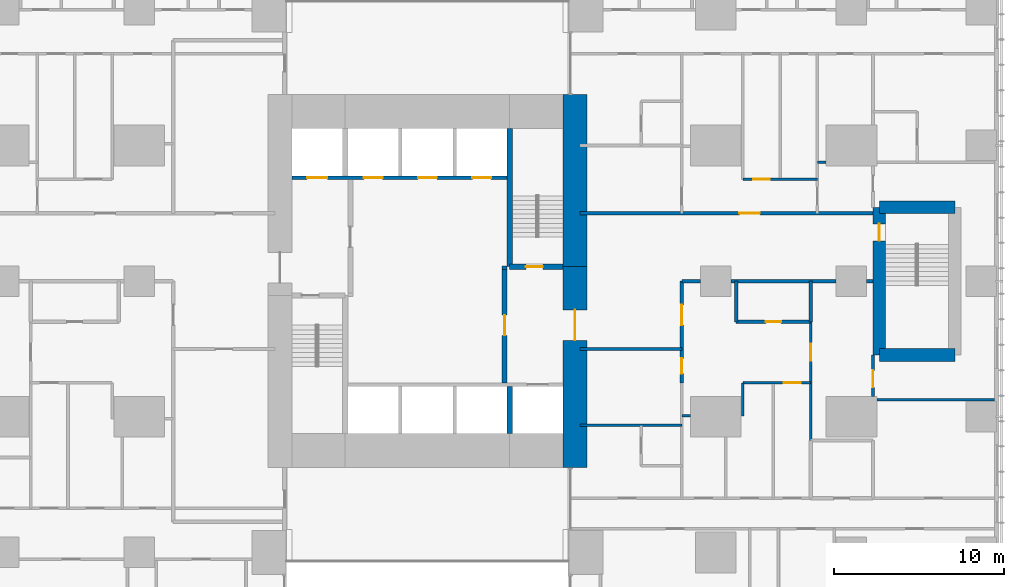
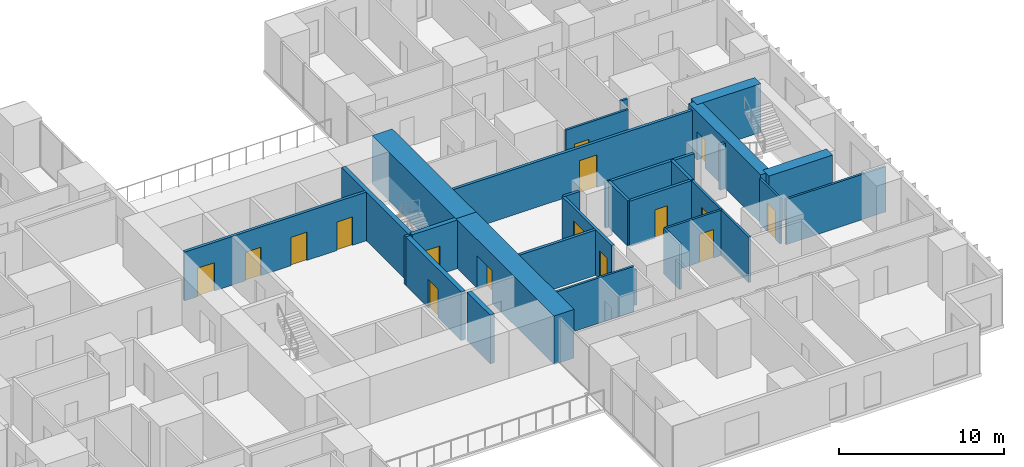
# One storey, part 15 of 20: 29 walls, 16 doors, 16 openings.
"""IFC4 building model written with IfcOpenShell, lengths in metres."""

import ifcopenshell
import ifcopenshell.guid

model = None  # the IFC model being written
_history = None  # IfcOwnerHistory: only IFC2X3 demands one
_inside = {}  # id of a spatial element -> (the spatial element, [elements in it])
_under = {}  # id of a project, library or spatial element -> (it, [spatial elements below it])
_declared = {}  # id of a project -> (the project, [libraries it declares])
_typed = {}  # id of a type object -> (the type object, [elements of that type])
_made_of = {}  # id of a material, layer set ... -> (it, [elements and type objects made of it])


def new_model(schema):
    """Start an empty IFC model of exactly this schema.

    Asked for "IFC4X3", IfcOpenShell would pick the latest addendum, in which some entities
    have other attributes; the version numbers below select the first issue.
    IFC2X3 requires an IfcOwnerHistory on every rooted entity: one is made here for all.
    """
    global model, _history
    if schema == "IFC4X3":
        model = ifcopenshell.file(schema_version=(4, 3, 0, 0))
    else:
        model = ifcopenshell.file(schema=schema)
    _inside.clear()
    _under.clear()
    _declared.clear()
    _typed.clear()
    _made_of.clear()
    _history = None
    if model.schema == "IFC2X3":
        org = make("IfcOrganization", Name="unknown")
        user = make(
            "IfcPersonAndOrganization",
            ThePerson=make("IfcPerson", FamilyName="unknown"),
            TheOrganization=org,
        )
        app = make(
            "IfcApplication",
            ApplicationDeveloper=org,
            Version="unknown",
            ApplicationFullName="unknown",
            ApplicationIdentifier="unknown",
        )
        _history = make(
            "IfcOwnerHistory",
            OwningUser=user,
            OwningApplication=app,
            ChangeAction="ADDED",
            CreationDate=0,
        )
    return model


def make(cls, **values):
    """One entity of the class cls with the attributes given. An attribute that is None is left unset."""
    return model.create_entity(
        cls, **{name: value for name, value in values.items() if value is not None}
    )


def rooted(cls, **values):
    """An entity with a GlobalId (a new one), such as an element, a storey or a relation."""
    return make(cls, GlobalId=ifcopenshell.guid.new(), OwnerHistory=_history, **values)


def si_unit(unit_type, name, prefix=None):
    """IfcSIUnit, for example si_unit("LENGTHUNIT", "METRE", prefix="MILLI")."""
    return make("IfcSIUnit", UnitType=unit_type, Prefix=prefix, Name=name)


def assignment(units):
    """IfcUnitAssignment: the units of a project."""
    return None if units is None else make("IfcUnitAssignment", Units=units)


def point(xyz):
    """IfcCartesianPoint."""
    return None if xyz is None else make("IfcCartesianPoint", Coordinates=xyz)


def direction(xyz):
    """IfcDirection."""
    return None if xyz is None else make("IfcDirection", DirectionRatios=xyz)


def frame(location, z_axis=None, x_axis=None):
    """IfcAxis2Placement3D, a coordinate frame: its origin and axes. An axis left out is left unset."""
    return make(
        "IfcAxis2Placement3D",
        Location=point(location),
        Axis=direction(z_axis),
        RefDirection=direction(x_axis),
    )


def frame_2d(location, x_axis=None):
    """IfcAxis2Placement2D, a coordinate frame in the plane: its origin and x axis."""
    return make(
        "IfcAxis2Placement2D", Location=point(location), RefDirection=direction(x_axis)
    )


def origin():
    """The frame at (0, 0, 0) with its axes left unset."""
    return frame((0.0, 0.0, 0.0))


def place(relative_to, where):
    """IfcLocalPlacement: puts the frame where relative to a parent placement (None: the world)."""
    return make(
        "IfcLocalPlacement", PlacementRelTo=relative_to, RelativePlacement=where
    )


def context(
    kind, dimensions, precision=None, world=None, true_north=None, identifier=None
):
    """IfcGeometricRepresentationContext, for example the 3D "Model" context."""
    return make(
        "IfcGeometricRepresentationContext",
        ContextIdentifier=identifier,
        ContextType=kind,
        CoordinateSpaceDimension=dimensions,
        Precision=precision,
        WorldCoordinateSystem=world,
        TrueNorth=true_north,
    )


def subcontext(parent, identifier, kind, view, scale=None):
    """IfcGeometricRepresentationSubContext, for example "Body" below "Model"."""
    return make(
        "IfcGeometricRepresentationSubContext",
        ContextIdentifier=identifier,
        ContextType=kind,
        ParentContext=parent,
        TargetScale=scale,
        TargetView=view,
    )


def project(units=None, contexts=None):
    """IfcProject with its units and contexts."""
    return rooted(
        "IfcProject",
        Name="project",
        RepresentationContexts=contexts,
        UnitsInContext=assignment(units),
    )


def spatial(cls, under=None, at=None, **own):
    """A site, building, storey or space (cls), placed at a placement, below another one or the project."""
    s = rooted(cls, ObjectPlacement=at, **own)
    if under is not None:
        _under.setdefault(under.id(), (under, []))[1].append(s)
    return s


def profile(cls, at=None, kind="AREA", **sizes):
    """A parametric profile (cls). Its sizes go by their IFC names, for example OverallWidth=200.0."""
    return make(cls, ProfileType=kind, Position=at, **sizes)


def rectangle(**sizes):
    """IfcRectangleProfileDef."""
    return profile("IfcRectangleProfileDef", **sizes)


def extrude(swept, where, along, depth):
    """IfcExtrudedAreaSolid: the profile swept, set in the frame where, extruded along a direction by depth."""
    return make(
        "IfcExtrudedAreaSolid",
        SweptArea=swept,
        Position=where,
        ExtrudedDirection=direction(along),
        Depth=depth,
    )


def shape(context_of_items, identifier, shape_type, items):
    """IfcShapeRepresentation: the items that make up one representation, for example the "Body"."""
    return make(
        "IfcShapeRepresentation",
        ContextOfItems=context_of_items,
        RepresentationIdentifier=identifier,
        RepresentationType=shape_type,
        Items=items,
    )


def material(Name=None, Category=None):
    """IfcMaterial."""
    return make("IfcMaterial", Name=Name, Category=Category)


def layer(
    of_material, thickness, ventilated=None, Name=None, Category=None, Priority=None
):
    """IfcMaterialLayer: one layer of a wall or slab, of a material (None: an air gap)."""
    return make(
        "IfcMaterialLayer",
        Material=of_material,
        LayerThickness=thickness,
        IsVentilated=ventilated,
        Name=Name,
        Category=Category,
        Priority=Priority,
    )


def layer_set(layers, Name=None):
    """IfcMaterialLayerSet."""
    return make("IfcMaterialLayerSet", MaterialLayers=layers, LayerSetName=Name)


def made_of(thing, what):
    """Note that an element or type object is made of a material, layer set ...; save() writes the relation."""
    if what is not None:
        _made_of.setdefault(what.id(), (what, []))[1].append(thing)
    return thing


def type_object(cls, material=None, **own):
    """A type object (cls), such as IfcWallType, which elements share."""
    return made_of(rooted(cls, **own), material)


def element(
    cls,
    number,
    at=None,
    inside=None,
    cuts=None,
    type_object=None,
    material=None,
    context=None,
    identifier="Body",
    shape_type=None,
    held_by="IfcProductDefinitionShape",
    body=None,
    shapes=None,
    **own,
):
    """One element of the class cls, such as IfcWall. Its Tag is "e" and its number.

    at: its placement. inside: the storey or other place that contains it. cuts: it is an
    opening in that element (IfcRelVoidsElement). A single representation is given by context,
    identifier, shape_type and body (its items); several are given by shapes. held_by: the class
    of the entity that holds the representations. save() writes the other relations.
    """
    e = rooted(cls, Tag="e%d" % number, ObjectPlacement=at, **own)
    if body is not None:
        shapes = [shape(context, identifier, shape_type, body)]
    if shapes is not None:
        e.Representation = make(held_by, Representations=shapes)
    if inside is not None:
        _inside.setdefault(inside.id(), (inside, []))[1].append(e)
    if cuts is not None:
        rooted(
            "IfcRelVoidsElement", RelatingBuildingElement=cuts, RelatedOpeningElement=e
        )
    if type_object is not None:
        _typed.setdefault(type_object.id(), (type_object, []))[1].append(e)
    return made_of(e, material)


def fill(opening, filler):
    """IfcRelFillsElement: the door or window that sits in an opening."""
    return rooted(
        "IfcRelFillsElement",
        RelatingOpeningElement=opening,
        RelatedBuildingElement=filler,
    )


def aggregate(whole, parts):
    """IfcRelAggregates: a whole, such as a stair, and the parts it consists of."""
    return rooted("IfcRelAggregates", RelatingObject=whole, RelatedObjects=parts)


def save(model, path):
    """Write the relations noted so far, then the file.

    IfcRelAggregates (storeys below a building ...), IfcRelContainedInSpatialStructure (elements
    in a storey), IfcRelDefinesByType, IfcRelAssociatesMaterial and IfcRelDeclares: one each for
    every whole, place, type object, material and project.
    """
    for whole, parts in _under.values():
        aggregate(whole, parts)
    for where, things in _inside.values():
        rooted(
            "IfcRelContainedInSpatialStructure",
            RelatedElements=things,
            RelatingStructure=where,
        )
    for kind, things in _typed.values():
        rooted("IfcRelDefinesByType", RelatedObjects=things, RelatingType=kind)
    for what, things in _made_of.values():
        rooted("IfcRelAssociatesMaterial", RelatedObjects=things, RelatingMaterial=what)
    for by, libraries in _declared.values():
        rooted("IfcRelDeclares", RelatingContext=by, RelatedDefinitions=libraries)
    model.write(path)


model = new_model("IFC4")

# Units and contexts
model_context = context("Model", 3, precision=1e-05, world=origin(), true_north=direction((0.0, 1.0)))
body_context = subcontext(model_context, "Body", "Model", "MODEL_VIEW")
ifc_project = project(units=[si_unit("LENGTHUNIT", "METRE"), si_unit("AREAUNIT", "SQUARE_METRE"), si_unit("VOLUMEUNIT", "CUBIC_METRE"), si_unit("PLANEANGLEUNIT", "RADIAN"), si_unit("MASSUNIT", "GRAM", prefix="KILO")], contexts=[model_context])

# Site, building, storey
site_placement = place(None, origin())
site = spatial("IfcSite", under=ifc_project, at=site_placement, CompositionType="ELEMENT")
building_placement = place(site_placement, origin())
building = spatial("IfcBuilding", under=site, at=building_placement, Name="Cleftline Residences", CompositionType="ELEMENT")
storey_placement = place(building_placement, frame((0.0, 0.0, 182.199951171875)))
storey = spatial("IfcBuildingStorey", under=building, at=storey_placement, Name="L47", CompositionType="ELEMENT", Elevation=182.199951171875)

# Wall, opening, door
ifc_material_1 = material(Name="Concrete B70", Category="concrete")
ifc_layer_1 = layer(ifc_material_1, 1.39990234375)
ifc_layer_set_1 = layer_set([ifc_layer_1], Name="CORE WALL 1400")
wall_type_1 = type_object("IfcWallType", Name="CORE WALL 1400", PredefinedType="SHEAR", material=ifc_layer_set_1)
wall_1_placement = place(storey_placement, frame((41.699951171875, 13.0, 0.0), z_axis=(0.0, 0.0, 1.0), x_axis=(0.0, 1.0, 0.0)))
wall_1 = element("IfcWall", 1, at=wall_1_placement, inside=storey, type_object=wall_type_1, Name="Core wall E", PredefinedType="SHEAR", context=body_context, shape_type="SweptSolid", body=[
    extrude(rectangle(XDim=11.85009765625, YDim=1.39990234375, at=frame_2d((5.925048828125, 0.0))), origin(), (0.0, 0.0, 1.0), 3.60009765625),
])
opening_1_placement = place(wall_1_placement, frame((7.5, 0.0, 0.0)))
opening_1 = element("IfcOpeningElement", 2, at=opening_1_placement, cuts=wall_1, Name="Opening D7", PredefinedType="OPENING", context=body_context, shape_type="SweptSolid", body=[
    extrude(rectangle(XDim=1.800048828125, YDim=2.39990234375, at=frame_2d((0.89990234375, 1.199951171875))), frame((0.0, 0.7099609375, 0.0), z_axis=(0.0, -1.0, 0.0), x_axis=(1.0, 0.0, 0.0)), (0.0, 0.0, 1.0), 1.419921875),
])
ifc_material_2 = material(Name="Steel", Category="steel")
door_type_1 = type_object("IfcDoorType", Name="WING DOOR 1800X2400", OperationType="DOUBLE_DOOR_DOUBLE_SWING", PredefinedType="DOOR", material=ifc_material_2)
door_1_placement = place(opening_1_placement, origin())
door_1 = element("IfcDoor", 3, at=door_1_placement, inside=storey, type_object=door_type_1, Name="East wing door", OperationType="DOUBLE_DOOR_DOUBLE_SWING", OverallHeight=2.39990234375, OverallWidth=1.800048828125, PredefinedType="DOOR", context=body_context, shape_type="SweptSolid", body=[
    extrude(rectangle(XDim=1.800048828125, YDim=2.39990234375, at=frame_2d((0.89990234375, 1.199951171875))), frame((0.0, 0.02490234375, 0.0), z_axis=(0.0, -1.0, 0.0), x_axis=(1.0, 0.0, 0.0)), (0.0, 0.0, 1.0), 0.050048828125),
])
fill(opening_1, door_1)

# Walls
wall_2_placement = place(storey_placement, frame((41.699951171875, 24.85009765625, 0.0), z_axis=(0.0, 0.0, 1.0), x_axis=(0.0, 1.0, 0.0)))
element("IfcWall", 4, at=wall_2_placement, inside=storey, type_object=wall_type_1, Name="Core wall E1", PredefinedType="SHEAR", context=body_context, shape_type="SweptSolid", body=[
    extrude(rectangle(XDim=10.14990234375, YDim=1.39990234375, at=frame_2d((5.074951171875, 0.0))), origin(), (0.0, 0.0, 1.0), 3.60009765625),
])
ifc_material_3 = material(Name="Concrete B70", Category="concrete")
ifc_layer_2 = layer(ifc_material_3, 0.300048828125)
ifc_layer_set_2 = layer_set([ifc_layer_2], Name="CORE WALL 300")
wall_type_2 = type_object("IfcWallType", Name="CORE WALL 300", PredefinedType="SHEAR", material=ifc_layer_set_2)
wall_3_placement = place(storey_placement, frame((37.85009765625, 24.85009765625, 0.0), z_axis=(0.0, 0.0, 1.0), x_axis=(0.0, 1.0, 0.0)))
element("IfcWall", 5, at=wall_3_placement, inside=storey, type_object=wall_type_2, Name="Core wall SB-W", PredefinedType="SHEAR", context=body_context, shape_type="SweptSolid", body=[
    extrude(rectangle(XDim=8.14990234375, YDim=0.300048828125, at=frame_2d((4.074951171875, 0.0))), origin(), (0.0, 0.0, 1.0), 3.60009765625),
])

# Wall, opening, door
wall_4_placement = place(storey_placement, frame((37.85009765625, 24.85009765625, 0.0), z_axis=(0.0, 0.0, 1.0), x_axis=(1.0, 0.0, 0.0)))
wall_4 = element("IfcWall", 6, at=wall_4_placement, inside=storey, type_object=wall_type_2, Name="Core wall SB-S", PredefinedType="SHEAR", context=body_context, shape_type="SweptSolid", body=[
    extrude(rectangle(XDim=3.14990234375, YDim=0.300048828125, at=frame_2d((1.574951171875, 0.0))), origin(), (0.0, 0.0, 1.0), 3.60009765625),
])
opening_2_placement = place(wall_4_placement, frame((0.949951171875, 0.0, 0.0)))
opening_2 = element("IfcOpeningElement", 7, at=opening_2_placement, cuts=wall_4, Name="Opening D5", PredefinedType="OPENING", context=body_context, shape_type="SweptSolid", body=[
    extrude(rectangle(XDim=1.0, YDim=2.10009765625, at=frame_2d((0.5, 1.050048828125))), frame((0.0, 0.159912109375, 0.0), z_axis=(0.0, -1.0, 0.0), x_axis=(1.0, 0.0, 0.0)), (0.0, 0.0, 1.0), 0.320068359375),
])
ifc_material_4 = material(Name="Steel", Category="steel")
door_type_2 = type_object("IfcDoorType", Name="STAIR DOOR 1000X2100", OperationType="SINGLE_SWING_LEFT", PredefinedType="DOOR", material=ifc_material_4)
door_2_placement = place(opening_2_placement, origin())
door_2 = element("IfcDoor", 8, at=door_2_placement, inside=storey, type_object=door_type_2, Name="Stair B door", OperationType="SINGLE_SWING_RIGHT", OverallHeight=2.10009765625, OverallWidth=1.0, PredefinedType="DOOR", context=body_context, shape_type="SweptSolid", body=[
    extrude(rectangle(XDim=1.0, YDim=2.10009765625, at=frame_2d((0.5, 1.050048828125))), frame((0.0, 0.02490234375, 0.0), z_axis=(0.0, -1.0, 0.0), x_axis=(1.0, 0.0, 0.0)), (0.0, 0.0, 1.0), 0.050048828125),
])
fill(opening_2, door_2)

# Walls
wall_5_placement = place(storey_placement, frame((37.85009765625, 15.0, 0.0), z_axis=(0.0, 0.0, 1.0), x_axis=(0.0, 1.0, 0.0)))
element("IfcWall", 9, at=wall_5_placement, inside=storey, type_object=wall_type_2, Name="Lift shaft wall", PredefinedType="SHEAR", context=body_context, shape_type="SweptSolid", body=[
    extrude(rectangle(XDim=2.800048828125, YDim=0.300048828125, at=frame_2d((1.39990234375, 0.0))), origin(), (0.0, 0.0, 1.0), 3.60009765625),
])
ifc_material_5 = material(Name="Concrete blockwork, fire rated", Category="masonry")
ifc_layer_3 = layer(ifc_material_5, 0.199951171875)
ifc_layer_set_3 = layer_set([ifc_layer_3], Name="FIRE WALL 200")
wall_type_3 = type_object("IfcWallType", Name="FIRE WALL 200", PredefinedType="PARTITIONING", material=ifc_layer_set_3)
wall_6_placement = place(storey_placement, frame((42.0, 20.0, 0.0), z_axis=(0.0, 0.0, 1.0), x_axis=(1.0, 0.0, 0.0)))
element("IfcWall", 10, at=wall_6_placement, inside=storey, type_object=wall_type_3, Name="Fire separating wall", PredefinedType="PARTITIONING", context=body_context, shape_type="SweptSolid", body=[
    extrude(rectangle(XDim=6.0, YDim=0.199951171875, at=frame_2d((3.0, 0.0))), origin(), (0.0, 0.0, 1.0), 3.35009765625),
])

# Wall, opening, door
wall_7_placement = place(storey_placement, frame((51.199951171875, 21.60009765625, 0.0), z_axis=(0.0, 0.0, 1.0), x_axis=(1.0, 0.0, 0.0)))
wall_7 = element("IfcWall", 11, at=wall_7_placement, inside=storey, type_object=wall_type_3, Name="Fire separating wall", PredefinedType="PARTITIONING", context=body_context, shape_type="SweptSolid", body=[
    extrude(rectangle(XDim=4.400146484375, YDim=0.199951171875, at=frame_2d((2.2001953125, 0.0))), origin(), (0.0, 0.0, 1.0), 3.35009765625),
])
opening_3_placement = place(wall_7_placement, frame((1.75, 0.0, 0.0)))
opening_3 = element("IfcOpeningElement", 12, at=opening_3_placement, cuts=wall_7, Name="Opening D1F30", PredefinedType="OPENING", context=body_context, shape_type="SweptSolid", body=[
    extrude(rectangle(XDim=0.89990234375, YDim=2.10009765625, at=frame_2d((0.449951171875, 1.050048828125))), frame((0.0, 0.10986328125, 0.0), z_axis=(0.0, -1.0, 0.0), x_axis=(1.0, 0.0, 0.0)), (0.0, 0.0, 1.0), 0.219970703125),
])
ifc_material_6 = material(Name="Timber veneer on solid core", Category="wood")
door_type_3 = type_object("IfcDoorType", Name="DOOR 900X2100 EI 30", OperationType="SINGLE_SWING_LEFT", PredefinedType="DOOR", material=ifc_material_6)
door_3_placement = place(opening_3_placement, origin())
door_3 = element("IfcDoor", 13, at=door_3_placement, inside=storey, type_object=door_type_3, Name="Door to cloakroom wc", OperationType="SINGLE_SWING_LEFT", OverallHeight=2.10009765625, OverallWidth=0.89990234375, PredefinedType="DOOR", context=body_context, shape_type="SweptSolid", body=[
    extrude(rectangle(XDim=0.89990234375, YDim=2.10009765625, at=frame_2d((0.449951171875, 1.050048828125))), frame((0.0, 0.02490234375, 0.0), z_axis=(0.0, -1.0, 0.0), x_axis=(1.0, 0.0, 0.0)), (0.0, 0.0, 1.0), 0.050048828125),
])
fill(opening_3, door_3)

# Walls
wall_8_placement = place(storey_placement, frame((48.0, 24.0, 0.0), z_axis=(0.0, 0.0, 1.0), x_axis=(1.0, 0.0, 0.0)))
element("IfcWall", 14, at=wall_8_placement, inside=storey, type_object=wall_type_3, Name="Fire separating wall", PredefinedType="PARTITIONING", context=body_context, shape_type="SweptSolid", body=[
    extrude(rectangle(XDim=1.10009765625, YDim=0.199951171875, at=frame_2d((0.550048828125, 0.0))), origin(), (0.0, 0.0, 1.0), 3.35009765625),
])
wall_9_placement = place(storey_placement, frame((50.89990234375, 24.0, 0.0), z_axis=(0.0, 0.0, 1.0), x_axis=(1.0, 0.0, 0.0)))
element("IfcWall", 15, at=wall_9_placement, inside=storey, type_object=wall_type_3, Name="Fire separating wall", PredefinedType="PARTITIONING", context=body_context, shape_type="SweptSolid", body=[
    extrude(rectangle(XDim=6.2001953125, YDim=0.199951171875, at=frame_2d((3.10009765625, 0.0))), origin(), (0.0, 0.0, 1.0), 3.35009765625),
])
wall_10_placement = place(storey_placement, frame((58.89990234375, 24.0, 0.0), z_axis=(0.0, 0.0, 1.0), x_axis=(1.0, 0.0, 0.0)))
element("IfcWall", 16, at=wall_10_placement, inside=storey, type_object=wall_type_3, Name="Fire separating wall", PredefinedType="PARTITIONING", context=body_context, shape_type="SweptSolid", body=[
    extrude(rectangle(XDim=0.375, YDim=0.199951171875, at=frame_2d((0.1875, 0.0))), origin(), (0.0, 0.0, 1.0), 3.35009765625),
])

# Wall, opening, door
wall_11_placement = place(storey_placement, frame((42.0, 28.0, 0.0), z_axis=(0.0, 0.0, 1.0), x_axis=(1.0, 0.0, 0.0)))
wall_11 = element("IfcWall", 17, at=wall_11_placement, inside=storey, type_object=wall_type_3, Name="Fire separating wall", PredefinedType="PARTITIONING", context=body_context, shape_type="SweptSolid", body=[
    extrude(rectangle(XDim=17.27490234375, YDim=0.199951171875, at=frame_2d((8.637451171875, 0.0))), origin(), (0.0, 0.0, 1.0), 3.35009765625),
])
opening_4_placement = place(wall_11_placement, frame((9.39990234375, 0.0, 0.0)))
opening_4 = element("IfcOpeningElement", 18, at=opening_4_placement, cuts=wall_11, Name="Opening D4", PredefinedType="OPENING", context=body_context, shape_type="SweptSolid", body=[
    extrude(rectangle(XDim=1.199951171875, YDim=2.39990234375, at=frame_2d((0.60009765625, 1.199951171875))), frame((0.0, 0.10986328125, 0.0), z_axis=(0.0, -1.0, 0.0), x_axis=(1.0, 0.0, 0.0)), (0.0, 0.0, 1.0), 0.219970703125),
])
ifc_material_7 = material(Name="Timber veneer on solid core", Category="wood")
door_type_4 = type_object("IfcDoorType", Name="APARTMENT ENTRANCE DOOR 1200X2400", OperationType="SINGLE_SWING_RIGHT", PredefinedType="DOOR", material=ifc_material_7)
door_4_placement = place(opening_4_placement, origin())
door_4 = element("IfcDoor", 19, at=door_4_placement, inside=storey, type_object=door_type_4, Name="Door to residence entrance (gallery)", OperationType="SINGLE_SWING_LEFT", OverallHeight=2.39990234375, OverallWidth=1.199951171875, PredefinedType="DOOR", context=body_context, shape_type="SweptSolid", body=[
    extrude(rectangle(XDim=1.199951171875, YDim=2.39990234375, at=frame_2d((0.60009765625, 1.199951171875))), frame((0.0, 0.02490234375, 0.0), z_axis=(0.0, -1.0, 0.0), x_axis=(1.0, 0.0, 0.0)), (0.0, 0.0, 1.0), 0.050048828125),
])
fill(opening_4, door_4)

# Wall, openings, doors
wall_12_placement = place(storey_placement, frame((48.0, 18.0, 0.0), z_axis=(0.0, 0.0, 1.0), x_axis=(0.0, 1.0, 0.0)))
wall_12 = element("IfcWall", 20, at=wall_12_placement, inside=storey, type_object=wall_type_3, Name="Fire separating wall", PredefinedType="PARTITIONING", context=body_context, shape_type="SweptSolid", body=[
    extrude(rectangle(XDim=6.0, YDim=0.199951171875, at=frame_2d((3.0, 0.0))), origin(), (0.0, 0.0, 1.0), 3.35009765625),
])
opening_5_placement = place(wall_12_placement, frame((3.39990234375, 0.0, 0.0)))
opening_5 = element("IfcOpeningElement", 21, at=opening_5_placement, cuts=wall_12, Name="Opening D4", PredefinedType="OPENING", context=body_context, shape_type="SweptSolid", body=[
    extrude(rectangle(XDim=1.199951171875, YDim=2.39990234375, at=frame_2d((0.60009765625, 1.199951171875))), frame((0.0, 0.10986328125, 0.0), z_axis=(0.0, -1.0, 0.0), x_axis=(1.0, 0.0, 0.0)), (0.0, 0.0, 1.0), 0.219970703125),
])
opening_6_placement = place(wall_12_placement, frame((0.550048828125, 0.0, 0.0)))
opening_6 = element("IfcOpeningElement", 22, at=opening_6_placement, cuts=wall_12, Name="Opening D1F30", PredefinedType="OPENING", context=body_context, shape_type="SweptSolid", body=[
    extrude(rectangle(XDim=0.89990234375, YDim=2.10009765625, at=frame_2d((0.449951171875, 1.050048828125))), frame((0.0, 0.10986328125, 0.0), z_axis=(0.0, -1.0, 0.0), x_axis=(1.0, 0.0, 0.0)), (0.0, 0.0, 1.0), 0.219970703125),
])
door_5_placement = place(opening_5_placement, origin())
door_5 = element("IfcDoor", 23, at=door_5_placement, inside=storey, type_object=door_type_4, Name="Door to residence entrance foyer", OperationType="SINGLE_SWING_LEFT", OverallHeight=2.39990234375, OverallWidth=1.199951171875, PredefinedType="DOOR", context=body_context, shape_type="SweptSolid", body=[
    extrude(rectangle(XDim=1.199951171875, YDim=2.39990234375, at=frame_2d((0.60009765625, 1.199951171875))), frame((0.0, 0.02490234375, 0.0), z_axis=(0.0, -1.0, 0.0), x_axis=(1.0, 0.0, 0.0)), (0.0, 0.0, 1.0), 0.050048828125),
])
fill(opening_5, door_5)
door_6_placement = place(opening_6_placement, origin())
door_6 = element("IfcDoor", 24, at=door_6_placement, inside=storey, type_object=door_type_3, Name="Door to drying loggia", OperationType="SINGLE_SWING_RIGHT", OverallHeight=2.10009765625, OverallWidth=0.89990234375, PredefinedType="DOOR", context=body_context, shape_type="SweptSolid", body=[
    extrude(rectangle(XDim=0.89990234375, YDim=2.10009765625, at=frame_2d((0.449951171875, 1.050048828125))), frame((0.0, 0.02490234375, 0.0), z_axis=(0.0, -1.0, 0.0), x_axis=(1.0, 0.0, 0.0)), (0.0, 0.0, 1.0), 0.050048828125),
])
fill(opening_6, door_6)

# Walls
for number, where, z_axis, x_axis, name in (
    (25, (51.199951171875, 21.60009765625, 0.0), (0.0, 0.0, 1.0), (0.0, 1.0, 0.0), "Fire separating wall"),
    (26, (55.60009765625, 21.60009765625, 0.0), (0.0, 0.0, 1.0), (0.0, 1.0, 0.0), "Fire separating wall"),
):
    element("IfcWall", number, at=place(storey_placement, frame(where, z_axis=z_axis, x_axis=x_axis)), inside=storey, type_object=wall_type_3, Name=name, PredefinedType="PARTITIONING", context=body_context, shape_type="SweptSolid", body=[
        extrude(rectangle(XDim=2.39990234375, YDim=0.199951171875, at=frame_2d((1.199951171875, 0.0))), origin(), (0.0, 0.0, 1.0), 3.35009765625),
    ])
wall_13_placement = place(storey_placement, frame((37.39990234375, 24.800048828125, 0.0), z_axis=(0.0, 0.0, 1.0), x_axis=(1.0, 0.0, 0.0)))
element("IfcWall", 27, at=wall_13_placement, inside=storey, type_object=wall_type_3, Name="Fire separating wall", PredefinedType="PARTITIONING", context=body_context, shape_type="SweptSolid", body=[
    extrude(rectangle(XDim=0.300048828125, YDim=0.199951171875, at=frame_2d((0.14990234375, 0.0))), origin(), (0.0, 0.0, 1.0), 3.60009765625),
])
ifc_material_8 = material(Name="Gypsum board on steel studs", Category="steel")
ifc_layer_4 = layer(ifc_material_8, 0.14990234375)
ifc_layer_set_4 = layer_set([ifc_layer_4], Name="PARTITION 150")
wall_type_4 = type_object("IfcWallType", Name="PARTITION 150", PredefinedType="PARTITIONING", material=ifc_layer_set_4)
wall_14_placement = place(storey_placement, frame((42.0, 15.5, 0.0), z_axis=(0.0, 0.0, 1.0), x_axis=(1.0, 0.0, 0.0)))
element("IfcWall", 28, at=wall_14_placement, inside=storey, type_object=wall_type_4, Name="Partition", PredefinedType="PARTITIONING", context=body_context, shape_type="SweptSolid", body=[
    extrude(rectangle(XDim=6.0, YDim=0.14990234375, at=frame_2d((3.0, 0.0))), origin(), (0.0, 0.0, 1.0), 3.35009765625),
])
wall_15_placement = place(storey_placement, frame((48.0, 16.050048828125, 0.0), z_axis=(0.0, 0.0, 1.0), x_axis=(1.0, 0.0, 0.0)))
element("IfcWall", 29, at=wall_15_placement, inside=storey, type_object=wall_type_4, Name="Partition", PredefinedType="PARTITIONING", context=body_context, shape_type="SweptSolid", body=[
    extrude(rectangle(XDim=0.5, YDim=0.14990234375, at=frame_2d((0.25, 0.0))), origin(), (0.0, 0.0, 1.0), 2.634033203125),
])
wall_16_placement = place(storey_placement, frame((59.5, 17.0, 0.0), z_axis=(0.0, 0.0, 1.0), x_axis=(1.0, 0.0, 0.0)))
element("IfcWall", 30, at=wall_16_placement, inside=storey, type_object=wall_type_4, Name="Partition", PredefinedType="PARTITIONING", context=body_context, shape_type="SweptSolid", body=[
    extrude(rectangle(XDim=6.949951171875, YDim=0.14990234375, at=frame_2d((3.47509765625, 0.0))), origin(), (0.0, 0.0, 1.0), 3.35009765625),
])

# Wall, opening, door
wall_17_placement = place(storey_placement, frame((51.60009765625, 18.0, 0.0), z_axis=(0.0, 0.0, 1.0), x_axis=(1.0, 0.0, 0.0)))
wall_17 = element("IfcWall", 31, at=wall_17_placement, inside=storey, type_object=wall_type_4, Name="Partition", PredefinedType="PARTITIONING", context=body_context, shape_type="SweptSolid", body=[
    extrude(rectangle(XDim=4.0, YDim=0.14990234375, at=frame_2d((2.0, 0.0))), origin(), (0.0, 0.0, 1.0), 3.35009765625),
])
opening_7_placement = place(wall_17_placement, frame((2.39990234375, 0.0, 0.0)))
opening_7 = element("IfcOpeningElement", 32, at=opening_7_placement, cuts=wall_17, Name="Opening D2", PredefinedType="OPENING", context=body_context, shape_type="SweptSolid", body=[
    extrude(rectangle(XDim=1.0, YDim=2.10009765625, at=frame_2d((0.5, 1.050048828125))), frame((0.0, 0.0849609375, 0.0), z_axis=(0.0, -1.0, 0.0), x_axis=(1.0, 0.0, 0.0)), (0.0, 0.0, 1.0), 0.169921875),
])
ifc_material_9 = material(Name="Timber veneer on solid core", Category="wood")
door_type_5 = type_object("IfcDoorType", Name="DOOR 1000X2100", OperationType="SINGLE_SWING_LEFT", PredefinedType="DOOR", material=ifc_material_9)
door_7_placement = place(opening_7_placement, origin())
door_7 = element("IfcDoor", 33, at=door_7_placement, inside=storey, type_object=door_type_5, Name="Door to residence passage", OperationType="SINGLE_SWING_LEFT", OverallHeight=2.10009765625, OverallWidth=1.0, PredefinedType="DOOR", context=body_context, shape_type="SweptSolid", body=[
    extrude(rectangle(XDim=1.0, YDim=2.10009765625, at=frame_2d((0.5, 1.050048828125))), frame((0.0, 0.02490234375, 0.0), z_axis=(0.0, -1.0, 0.0), x_axis=(1.0, 0.0, 0.0)), (0.0, 0.0, 1.0), 0.050048828125),
])
fill(opening_7, door_7)

wall_18_placement = place(storey_placement, frame((51.60009765625, 30.0, 0.0), z_axis=(0.0, 0.0, 1.0), x_axis=(1.0, 0.0, 0.0)))
wall_18 = element("IfcWall", 34, at=wall_18_placement, inside=storey, type_object=wall_type_4, Name="Partition", PredefinedType="PARTITIONING", context=body_context, shape_type="SweptSolid", body=[
    extrude(rectangle(XDim=4.39990234375, YDim=0.14990234375, at=frame_2d((2.199951171875, 0.0))), origin(), (0.0, 0.0, 1.0), 3.35009765625),
])
opening_8_placement = place(wall_18_placement, frame((0.60009765625, 0.0, 0.0)))
opening_8 = element("IfcOpeningElement", 35, at=opening_8_placement, cuts=wall_18, Name="Opening D2", PredefinedType="OPENING", context=body_context, shape_type="SweptSolid", body=[
    extrude(rectangle(XDim=1.0, YDim=2.10009765625, at=frame_2d((0.5, 1.050048828125))), frame((0.0, 0.0849609375, 0.0), z_axis=(0.0, -1.0, 0.0), x_axis=(1.0, 0.0, 0.0)), (0.0, 0.0, 1.0), 0.169921875),
])
door_8_placement = place(opening_8_placement, origin())
door_8 = element("IfcDoor", 36, at=door_8_placement, inside=storey, type_object=door_type_5, Name="Door to residence passage", OperationType="SINGLE_SWING_RIGHT", OverallHeight=2.10009765625, OverallWidth=1.0, PredefinedType="DOOR", context=body_context, shape_type="SweptSolid", body=[
    extrude(rectangle(XDim=1.0, YDim=2.10009765625, at=frame_2d((0.5, 1.050048828125))), frame((0.0, 0.02490234375, 0.0), z_axis=(0.0, -1.0, 0.0), x_axis=(1.0, 0.0, 0.0)), (0.0, 0.0, 1.0), 0.050048828125),
])
fill(opening_8, door_8)

# Walls
wall_19_placement = place(storey_placement, frame((56.0, 31.0, 0.0), z_axis=(0.0, 0.0, 1.0), x_axis=(1.0, 0.0, 0.0)))
element("IfcWall", 37, at=wall_19_placement, inside=storey, type_object=wall_type_4, Name="Partition", PredefinedType="PARTITIONING", context=body_context, shape_type="SweptSolid", body=[
    extrude(rectangle(XDim=0.5, YDim=0.14990234375, at=frame_2d((0.25, 0.0))), origin(), (0.0, 0.0, 1.0), 3.35009765625),
])
wall_20_placement = place(storey_placement, frame((51.60009765625, 16.050048828125, 0.0), z_axis=(0.0, 0.0, 1.0), x_axis=(0.0, 1.0, 0.0)))
element("IfcWall", 38, at=wall_20_placement, inside=storey, type_object=wall_type_4, Name="Partition", PredefinedType="PARTITIONING", context=body_context, shape_type="SweptSolid", body=[
    extrude(rectangle(XDim=1.949951171875, YDim=0.14990234375, at=frame_2d((0.97509765625, 0.0))), origin(), (0.0, 0.0, 1.0), 3.35009765625),
])

# Wall, opening, door
wall_21_placement = place(storey_placement, frame((55.60009765625, 14.60009765625, 0.0), z_axis=(0.0, 0.0, 1.0), x_axis=(0.0, 1.0, 0.0)))
wall_21 = element("IfcWall", 39, at=wall_21_placement, inside=storey, type_object=wall_type_4, Name="Partition", PredefinedType="PARTITIONING", context=body_context, shape_type="SweptSolid", body=[
    extrude(rectangle(XDim=7.0, YDim=0.14990234375, at=frame_2d((3.5, 0.0))), origin(), (0.0, 0.0, 1.0), 3.35009765625),
])
opening_9_placement = place(wall_21_placement, frame((4.699951171875, 0.0, 0.0)))
opening_9 = element("IfcOpeningElement", 40, at=opening_9_placement, cuts=wall_21, Name="Opening D2F30", PredefinedType="OPENING", context=body_context, shape_type="SweptSolid", body=[
    extrude(rectangle(XDim=1.0, YDim=2.10009765625, at=frame_2d((0.5, 1.050048828125))), frame((0.0, 0.0849609375, 0.0), z_axis=(0.0, -1.0, 0.0), x_axis=(1.0, 0.0, 0.0)), (0.0, 0.0, 1.0), 0.169921875),
])
ifc_material_10 = material(Name="Timber veneer on solid core", Category="wood")
door_type_6 = type_object("IfcDoorType", Name="DOOR 1000X2100 EI 30", OperationType="SINGLE_SWING_LEFT", PredefinedType="DOOR", material=ifc_material_10)
door_9_placement = place(opening_9_placement, origin())
door_9 = element("IfcDoor", 41, at=door_9_placement, inside=storey, type_object=door_type_6, Name="Door to residence lobby", OperationType="SINGLE_SWING_LEFT", OverallHeight=2.10009765625, OverallWidth=1.0, PredefinedType="DOOR", context=body_context, shape_type="SweptSolid", body=[
    extrude(rectangle(XDim=1.0, YDim=2.10009765625, at=frame_2d((0.5, 1.050048828125))), frame((0.0, 0.02490234375, 0.0), z_axis=(0.0, -1.0, 0.0), x_axis=(1.0, 0.0, 0.0)), (0.0, 0.0, 1.0), 0.050048828125),
])
fill(opening_9, door_9)

wall_22_placement = place(storey_placement, frame((59.27490234375, 17.199951171875, 0.0), z_axis=(0.0, 0.0, 1.0), x_axis=(0.0, 1.0, 0.0)))
wall_22 = element("IfcWall", 42, at=wall_22_placement, inside=storey, type_object=wall_type_4, Name="Partition", PredefinedType="PARTITIONING", context=body_context, shape_type="SweptSolid", body=[
    extrude(rectangle(XDim=2.449951171875, YDim=0.14990234375, at=frame_2d((1.22509765625, 0.0))), origin(), (0.0, 0.0, 1.0), 3.35009765625),
])
opening_10_placement = place(wall_22_placement, frame((0.53759765625, 0.0, 0.0)))
opening_10 = element("IfcOpeningElement", 43, at=opening_10_placement, cuts=wall_22, Name="Opening D2", PredefinedType="OPENING", context=body_context, shape_type="SweptSolid", body=[
    extrude(rectangle(XDim=1.0, YDim=2.10009765625, at=frame_2d((0.5, 1.050048828125))), frame((0.0, 0.0849609375, 0.0), z_axis=(0.0, -1.0, 0.0), x_axis=(1.0, 0.0, 0.0)), (0.0, 0.0, 1.0), 0.169921875),
])
door_10_placement = place(opening_10_placement, origin())
door_10 = element("IfcDoor", 44, at=door_10_placement, inside=storey, type_object=door_type_5, Name="Door to altar room", OperationType="SINGLE_SWING_RIGHT", OverallHeight=2.10009765625, OverallWidth=1.0, PredefinedType="DOOR", context=body_context, shape_type="SweptSolid", body=[
    extrude(rectangle(XDim=1.0, YDim=2.10009765625, at=frame_2d((0.5, 1.050048828125))), frame((0.0, 0.02490234375, 0.0), z_axis=(0.0, -1.0, 0.0), x_axis=(1.0, 0.0, 0.0)), (0.0, 0.0, 1.0), 0.050048828125),
])
fill(opening_10, door_10)

# Wall, openings, doors
ifc_material_11 = material(Name="Concrete blockwork, fire rated", Category="masonry")
ifc_layer_5 = layer(ifc_material_11, 0.199951171875)
ifc_layer_set_5 = layer_set([ifc_layer_5], Name="SHAFT WALL 200")
wall_type_5 = type_object("IfcWallType", Name="SHAFT WALL 200", PredefinedType="PARTITIONING", material=ifc_layer_set_5)
wall_23_placement = place(storey_placement, frame((25.0, 30.10009765625, 0.0), z_axis=(0.0, 0.0, 1.0), x_axis=(1.0, 0.0, 0.0)))
wall_23 = element("IfcWall", 45, at=wall_23_placement, inside=storey, type_object=wall_type_5, Name="Lift shaft wall", PredefinedType="PARTITIONING", context=body_context, shape_type="SweptSolid", body=[
    extrude(rectangle(XDim=12.699951171875, YDim=0.199951171875, at=frame_2d((6.35009765625, 0.0))), origin(), (0.0, 0.0, 1.0), 3.60009765625),
])
opening_11_placement = place(wall_23_placement, frame((4.25, 0.0, 0.0)))
opening_11 = element("IfcOpeningElement", 46, at=opening_11_placement, cuts=wall_23, Name="Opening LD1", PredefinedType="OPENING", context=body_context, shape_type="SweptSolid", body=[
    extrude(rectangle(XDim=1.10009765625, YDim=2.10009765625, at=frame_2d((0.550048828125, 1.050048828125))), frame((0.0, 0.10986328125, 0.0), z_axis=(0.0, -1.0, 0.0), x_axis=(1.0, 0.0, 0.0)), (0.0, 0.0, 1.0), 0.219970703125),
])
opening_12_placement = place(wall_23_placement, frame((7.449951171875, 0.0, 0.0)))
opening_12 = element("IfcOpeningElement", 47, at=opening_12_placement, cuts=wall_23, Name="Opening LD1", PredefinedType="OPENING", context=body_context, shape_type="SweptSolid", body=[
    extrude(rectangle(XDim=1.10009765625, YDim=2.10009765625, at=frame_2d((0.550048828125, 1.050048828125))), frame((0.0, 0.10986328125, 0.0), z_axis=(0.0, -1.0, 0.0), x_axis=(1.0, 0.0, 0.0)), (0.0, 0.0, 1.0), 0.219970703125),
])
opening_13_placement = place(wall_23_placement, frame((10.64990234375, 0.0, 0.0)))
opening_13 = element("IfcOpeningElement", 48, at=opening_13_placement, cuts=wall_23, Name="Opening LD1", PredefinedType="OPENING", context=body_context, shape_type="SweptSolid", body=[
    extrude(rectangle(XDim=1.10009765625, YDim=2.10009765625, at=frame_2d((0.550048828125, 1.050048828125))), frame((0.0, 0.10986328125, 0.0), z_axis=(0.0, -1.0, 0.0), x_axis=(1.0, 0.0, 0.0)), (0.0, 0.0, 1.0), 0.219970703125),
])
opening_14_placement = place(wall_23_placement, frame((0.89990234375, 0.0, 0.0)))
opening_14 = element("IfcOpeningElement", 49, at=opening_14_placement, cuts=wall_23, Name="Opening LD2", PredefinedType="OPENING", context=body_context, shape_type="SweptSolid", body=[
    extrude(rectangle(XDim=1.199951171875, YDim=2.10009765625, at=frame_2d((0.60009765625, 1.050048828125))), frame((0.0, 0.10986328125, 0.0), z_axis=(0.0, -1.0, 0.0), x_axis=(1.0, 0.0, 0.0)), (0.0, 0.0, 1.0), 0.219970703125),
])
ifc_material_12 = material(Name="Steel", Category="steel")
door_type_7 = type_object("IfcDoorType", Name="FIREFIGHTING LIFT LANDING DOOR 1200X2100", OperationType="SLIDING_TO_LEFT", PredefinedType="DOOR", material=ifc_material_12)
door_11_placement = place(opening_14_placement, origin())
door_11 = element("IfcDoor", 50, at=door_11_placement, inside=storey, type_object=door_type_7, Name="Lift FL1 landing door", OperationType="SLIDING_TO_LEFT", OverallHeight=2.10009765625, OverallWidth=1.199951171875, PredefinedType="DOOR", context=body_context, shape_type="SweptSolid", body=[
    extrude(rectangle(XDim=1.199951171875, YDim=2.10009765625, at=frame_2d((0.60009765625, 1.050048828125))), frame((0.0, 0.02490234375, 0.0), z_axis=(0.0, -1.0, 0.0), x_axis=(1.0, 0.0, 0.0)), (0.0, 0.0, 1.0), 0.050048828125),
])
fill(opening_14, door_11)
ifc_material_13 = material(Name="Steel", Category="steel")
door_type_8 = type_object("IfcDoorType", Name="LIFT LANDING DOOR 1100X2100", OperationType="SLIDING_TO_LEFT", PredefinedType="DOOR", material=ifc_material_13)
door_12_placement = place(opening_11_placement, origin())
door_12 = element("IfcDoor", 51, at=door_12_placement, inside=storey, type_object=door_type_8, Name="Lift P4 landing door", OperationType="SLIDING_TO_LEFT", OverallHeight=2.10009765625, OverallWidth=1.10009765625, PredefinedType="DOOR", context=body_context, shape_type="SweptSolid", body=[
    extrude(rectangle(XDim=1.10009765625, YDim=2.10009765625, at=frame_2d((0.550048828125, 1.050048828125))), frame((0.0, 0.02490234375, 0.0), z_axis=(0.0, -1.0, 0.0), x_axis=(1.0, 0.0, 0.0)), (0.0, 0.0, 1.0), 0.050048828125),
])
fill(opening_11, door_12)
door_13_placement = place(opening_12_placement, origin())
door_13 = element("IfcDoor", 52, at=door_13_placement, inside=storey, type_object=door_type_8, Name="Lift P5 landing door", OperationType="SLIDING_TO_LEFT", OverallHeight=2.10009765625, OverallWidth=1.10009765625, PredefinedType="DOOR", context=body_context, shape_type="SweptSolid", body=[
    extrude(rectangle(XDim=1.10009765625, YDim=2.10009765625, at=frame_2d((0.550048828125, 1.050048828125))), frame((0.0, 0.02490234375, 0.0), z_axis=(0.0, -1.0, 0.0), x_axis=(1.0, 0.0, 0.0)), (0.0, 0.0, 1.0), 0.050048828125),
])
fill(opening_12, door_13)
door_14_placement = place(opening_13_placement, origin())
door_14 = element("IfcDoor", 53, at=door_14_placement, inside=storey, type_object=door_type_8, Name="Lift P6 landing door", OperationType="SLIDING_TO_LEFT", OverallHeight=2.10009765625, OverallWidth=1.10009765625, PredefinedType="DOOR", context=body_context, shape_type="SweptSolid", body=[
    extrude(rectangle(XDim=1.10009765625, YDim=2.10009765625, at=frame_2d((0.550048828125, 1.050048828125))), frame((0.0, 0.02490234375, 0.0), z_axis=(0.0, -1.0, 0.0), x_axis=(1.0, 0.0, 0.0)), (0.0, 0.0, 1.0), 0.050048828125),
])
fill(opening_13, door_14)

# Walls
ifc_material_14 = material(Name="Concrete B70", Category="concrete")
ifc_layer_6 = layer(ifc_material_14, 0.75)
ifc_layer_set_6 = layer_set([ifc_layer_6], Name="SHEAR WALL 750")
wall_type_6 = type_object("IfcWallType", Name="SHEAR WALL 750", PredefinedType="SHEAR", material=ifc_layer_set_6)
for number, where, z_axis, x_axis, name in (
    (54, (59.64990234375, 19.64990234375, 0.0), (0.0, 0.0, 1.0), (1.0, 0.0, 0.0), "Wing shear wall"),
    (55, (64.10009765625, 28.35009765625, 0.0), (0.0, 0.0, 1.0), (-1.0, 0.0, 0.0), "Wing shear wall"),
):
    element("IfcWall", number, at=place(storey_placement, frame(where, z_axis=z_axis, x_axis=x_axis)), inside=storey, type_object=wall_type_6, Name=name, PredefinedType="SHEAR", context=body_context, shape_type="SweptSolid", body=[
        extrude(rectangle(XDim=4.4501953125, YDim=0.75, at=frame_2d((2.22509765625, 0.0))), origin(), (0.0, 0.0, 1.0), 3.60009765625),
    ])

# Wall, opening, door
wall_24_placement = place(storey_placement, frame((59.64990234375, 28.35009765625, 0.0), z_axis=(0.0, 0.0, 1.0), x_axis=(0.0, -1.0, 0.0)))
wall_24 = element("IfcWall", 56, at=wall_24_placement, inside=storey, type_object=wall_type_6, Name="Wing shear wall", PredefinedType="SHEAR", context=body_context, shape_type="SweptSolid", body=[
    extrude(rectangle(XDim=8.7001953125, YDim=0.75, at=frame_2d((4.35009765625, 0.0))), origin(), (0.0, 0.0, 1.0), 3.60009765625),
])
opening_15_placement = place(wall_24_placement, frame((0.97509765625, 0.0, 0.0)))
opening_15 = element("IfcOpeningElement", 57, at=opening_15_placement, cuts=wall_24, Name="Opening D5", PredefinedType="OPENING", context=body_context, shape_type="SweptSolid", body=[
    extrude(rectangle(XDim=1.0, YDim=2.10009765625, at=frame_2d((0.5, 1.050048828125))), frame((0.0, 0.385009765625, 0.0), z_axis=(0.0, -1.0, 0.0), x_axis=(1.0, 0.0, 0.0)), (0.0, 0.0, 1.0), 0.77001953125),
])
door_15_placement = place(opening_15_placement, origin())
door_15 = element("IfcDoor", 58, at=door_15_placement, inside=storey, type_object=door_type_2, Name="Stair E door", OperationType="SINGLE_SWING_RIGHT", OverallHeight=2.10009765625, OverallWidth=1.0, PredefinedType="DOOR", context=body_context, shape_type="SweptSolid", body=[
    extrude(rectangle(XDim=1.0, YDim=2.10009765625, at=frame_2d((0.5, 1.050048828125))), frame((0.0, 0.02490234375, 0.0), z_axis=(0.0, -1.0, 0.0), x_axis=(1.0, 0.0, 0.0)), (0.0, 0.0, 1.0), 0.050048828125),
])
fill(opening_15, door_15)

ifc_material_15 = material(Name="Concrete blockwork, fire rated", Category="masonry")
ifc_layer_7 = layer(ifc_material_15, 0.300048828125)
ifc_layer_set_7 = layer_set([ifc_layer_7], Name="STAIR LOBBY WALL 300")
wall_type_7 = type_object("IfcWallType", Name="STAIR LOBBY WALL 300", PredefinedType="PARTITIONING", material=ifc_layer_set_7)
wall_25_placement = place(storey_placement, frame((37.550048828125, 18.0, 0.0), z_axis=(0.0, 0.0, 1.0), x_axis=(0.0, 1.0, 0.0)))
wall_25 = element("IfcWall", 59, at=wall_25_placement, inside=storey, type_object=wall_type_7, Name="Stair and lobby wall FB-W", PredefinedType="PARTITIONING", context=body_context, shape_type="SweptSolid", body=[
    extrude(rectangle(XDim=6.699951171875, YDim=0.300048828125, at=frame_2d((3.35009765625, 0.0))), origin(), (0.0, 0.0, 1.0), 3.60009765625),
])
opening_16_placement = place(wall_25_placement, frame((2.800048828125, 0.0, 0.0)))
opening_16 = element("IfcOpeningElement", 60, at=opening_16_placement, cuts=wall_25, Name="Opening D6", PredefinedType="OPENING", context=body_context, shape_type="SweptSolid", body=[
    extrude(rectangle(XDim=1.199951171875, YDim=2.10009765625, at=frame_2d((0.60009765625, 1.050048828125))), frame((0.0, 0.159912109375, 0.0), z_axis=(0.0, -1.0, 0.0), x_axis=(1.0, 0.0, 0.0)), (0.0, 0.0, 1.0), 0.320068359375),
])
ifc_material_16 = material(Name="Steel", Category="steel")
door_type_9 = type_object("IfcDoorType", Name="LOBBY DOOR 1200X2100", OperationType="SINGLE_SWING_RIGHT", PredefinedType="DOOR", material=ifc_material_16)
door_16_placement = place(opening_16_placement, origin())
door_16 = element("IfcDoor", 61, at=door_16_placement, inside=storey, type_object=door_type_9, Name="Firefighting lobby B door", OperationType="SINGLE_SWING_LEFT", OverallHeight=2.10009765625, OverallWidth=1.199951171875, PredefinedType="DOOR", context=body_context, shape_type="SweptSolid", body=[
    extrude(rectangle(XDim=1.199951171875, YDim=2.10009765625, at=frame_2d((0.60009765625, 1.050048828125))), frame((0.0, 0.02490234375, 0.0), z_axis=(0.0, -1.0, 0.0), x_axis=(1.0, 0.0, 0.0)), (0.0, 0.0, 1.0), 0.050048828125),
])
fill(opening_16, door_16)

save(model, "model.ifc")
